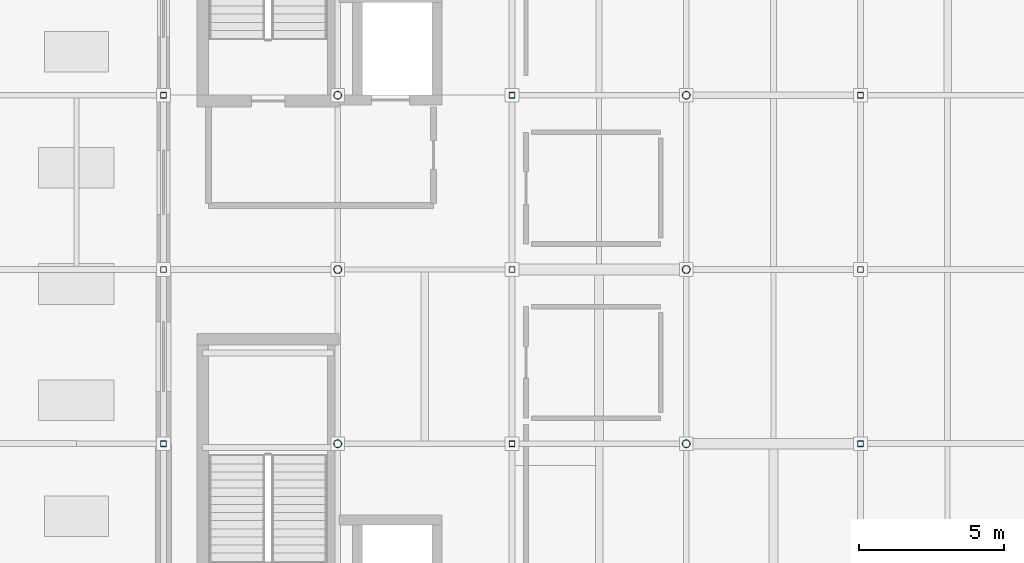
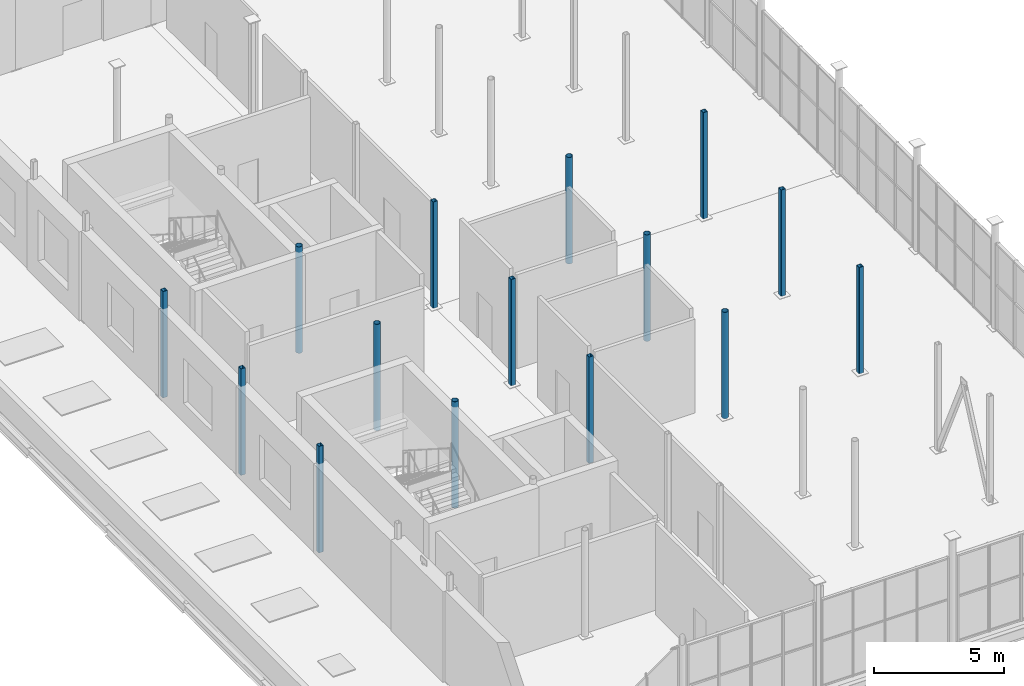
# One storey, part 2 of 27: 15 columns.
"""IFC4 building model written with IfcOpenShell, lengths in metres."""

import ifcopenshell
import ifcopenshell.guid

model = None  # the IFC model being written
_history = None  # IfcOwnerHistory: only IFC2X3 demands one
_inside = {}  # id of a spatial element -> (the spatial element, [elements in it])
_under = {}  # id of a project, library or spatial element -> (it, [spatial elements below it])
_declared = {}  # id of a project -> (the project, [libraries it declares])
_typed = {}  # id of a type object -> (the type object, [elements of that type])
_made_of = {}  # id of a material, layer set ... -> (it, [elements and type objects made of it])


def new_model(schema):
    """Start an empty IFC model of exactly this schema.

    Asked for "IFC4X3", IfcOpenShell would pick the latest addendum, in which some entities
    have other attributes; the version numbers below select the first issue.
    IFC2X3 requires an IfcOwnerHistory on every rooted entity: one is made here for all.
    """
    global model, _history
    if schema == "IFC4X3":
        model = ifcopenshell.file(schema_version=(4, 3, 0, 0))
    else:
        model = ifcopenshell.file(schema=schema)
    _inside.clear()
    _under.clear()
    _declared.clear()
    _typed.clear()
    _made_of.clear()
    _history = None
    if model.schema == "IFC2X3":
        org = make("IfcOrganization", Name="unknown")
        user = make(
            "IfcPersonAndOrganization",
            ThePerson=make("IfcPerson", FamilyName="unknown"),
            TheOrganization=org,
        )
        app = make(
            "IfcApplication",
            ApplicationDeveloper=org,
            Version="unknown",
            ApplicationFullName="unknown",
            ApplicationIdentifier="unknown",
        )
        _history = make(
            "IfcOwnerHistory",
            OwningUser=user,
            OwningApplication=app,
            ChangeAction="ADDED",
            CreationDate=0,
        )
    return model


def make(cls, **values):
    """One entity of the class cls with the attributes given. An attribute that is None is left unset."""
    return model.create_entity(
        cls, **{name: value for name, value in values.items() if value is not None}
    )


def rooted(cls, **values):
    """An entity with a GlobalId (a new one), such as an element, a storey or a relation."""
    return make(cls, GlobalId=ifcopenshell.guid.new(), OwnerHistory=_history, **values)


def si_unit(unit_type, name, prefix=None):
    """IfcSIUnit, for example si_unit("LENGTHUNIT", "METRE", prefix="MILLI")."""
    return make("IfcSIUnit", UnitType=unit_type, Prefix=prefix, Name=name)


def assignment(units):
    """IfcUnitAssignment: the units of a project."""
    return None if units is None else make("IfcUnitAssignment", Units=units)


def point(xyz):
    """IfcCartesianPoint."""
    return None if xyz is None else make("IfcCartesianPoint", Coordinates=xyz)


def direction(xyz):
    """IfcDirection."""
    return None if xyz is None else make("IfcDirection", DirectionRatios=xyz)


def frame(location, z_axis=None, x_axis=None):
    """IfcAxis2Placement3D, a coordinate frame: its origin and axes. An axis left out is left unset."""
    return make(
        "IfcAxis2Placement3D",
        Location=point(location),
        Axis=direction(z_axis),
        RefDirection=direction(x_axis),
    )


def frame_2d(location, x_axis=None):
    """IfcAxis2Placement2D, a coordinate frame in the plane: its origin and x axis."""
    return make(
        "IfcAxis2Placement2D", Location=point(location), RefDirection=direction(x_axis)
    )


def origin():
    """The frame at (0, 0, 0) with its axes left unset."""
    return frame((0.0, 0.0, 0.0))


def origin_2d():
    """The frame at (0, 0) in the plane with its x axis left unset."""
    return frame_2d((0.0, 0.0))


def place(relative_to, where):
    """IfcLocalPlacement: puts the frame where relative to a parent placement (None: the world)."""
    return make(
        "IfcLocalPlacement", PlacementRelTo=relative_to, RelativePlacement=where
    )


def context(
    kind, dimensions, precision=None, world=None, true_north=None, identifier=None
):
    """IfcGeometricRepresentationContext, for example the 3D "Model" context."""
    return make(
        "IfcGeometricRepresentationContext",
        ContextIdentifier=identifier,
        ContextType=kind,
        CoordinateSpaceDimension=dimensions,
        Precision=precision,
        WorldCoordinateSystem=world,
        TrueNorth=true_north,
    )


def subcontext(parent, identifier, kind, view, scale=None):
    """IfcGeometricRepresentationSubContext, for example "Body" below "Model"."""
    return make(
        "IfcGeometricRepresentationSubContext",
        ContextIdentifier=identifier,
        ContextType=kind,
        ParentContext=parent,
        TargetScale=scale,
        TargetView=view,
    )


def project(units=None, contexts=None):
    """IfcProject with its units and contexts."""
    return rooted(
        "IfcProject",
        Name="project",
        RepresentationContexts=contexts,
        UnitsInContext=assignment(units),
    )


def spatial(cls, under=None, at=None, **own):
    """A site, building, storey or space (cls), placed at a placement, below another one or the project."""
    s = rooted(cls, ObjectPlacement=at, **own)
    if under is not None:
        _under.setdefault(under.id(), (under, []))[1].append(s)
    return s


def profile(cls, at=None, kind="AREA", **sizes):
    """A parametric profile (cls). Its sizes go by their IFC names, for example OverallWidth=200.0."""
    return make(cls, ProfileType=kind, Position=at, **sizes)


def hollow_rectangle(**sizes):
    """IfcRectangleHollowProfileDef."""
    return profile("IfcRectangleHollowProfileDef", **sizes)


def hollow_circle(**sizes):
    """IfcCircleHollowProfileDef."""
    return profile("IfcCircleHollowProfileDef", **sizes)


def extrude(swept, where, along, depth):
    """IfcExtrudedAreaSolid: the profile swept, set in the frame where, extruded along a direction by depth."""
    return make(
        "IfcExtrudedAreaSolid",
        SweptArea=swept,
        Position=where,
        ExtrudedDirection=direction(along),
        Depth=depth,
    )


def shape(context_of_items, identifier, shape_type, items):
    """IfcShapeRepresentation: the items that make up one representation, for example the "Body"."""
    return make(
        "IfcShapeRepresentation",
        ContextOfItems=context_of_items,
        RepresentationIdentifier=identifier,
        RepresentationType=shape_type,
        Items=items,
    )


def material(Name=None, Category=None):
    """IfcMaterial."""
    return make("IfcMaterial", Name=Name, Category=Category)


def material_profile(
    of_material, cross_section, Name=None, Category=None, Priority=None
):
    """IfcMaterialProfile: a cross section and its material."""
    return make(
        "IfcMaterialProfile",
        Name=Name,
        Material=of_material,
        Profile=cross_section,
        Priority=Priority,
        Category=Category,
    )


def profile_set(profiles, Name=None, composite=None):
    """IfcMaterialProfileSet."""
    return make(
        "IfcMaterialProfileSet",
        Name=Name,
        MaterialProfiles=profiles,
        CompositeProfile=composite,
    )


def made_of(thing, what):
    """Note that an element or type object is made of a material, layer set ...; save() writes the relation."""
    if what is not None:
        _made_of.setdefault(what.id(), (what, []))[1].append(thing)
    return thing


def type_object(cls, material=None, **own):
    """A type object (cls), such as IfcWallType, which elements share."""
    return made_of(rooted(cls, **own), material)


def element(
    cls,
    number,
    at=None,
    inside=None,
    cuts=None,
    type_object=None,
    material=None,
    context=None,
    identifier="Body",
    shape_type=None,
    held_by="IfcProductDefinitionShape",
    body=None,
    shapes=None,
    **own,
):
    """One element of the class cls, such as IfcWall. Its Tag is "e" and its number.

    at: its placement. inside: the storey or other place that contains it. cuts: it is an
    opening in that element (IfcRelVoidsElement). A single representation is given by context,
    identifier, shape_type and body (its items); several are given by shapes. held_by: the class
    of the entity that holds the representations. save() writes the other relations.
    """
    e = rooted(cls, Tag="e%d" % number, ObjectPlacement=at, **own)
    if body is not None:
        shapes = [shape(context, identifier, shape_type, body)]
    if shapes is not None:
        e.Representation = make(held_by, Representations=shapes)
    if inside is not None:
        _inside.setdefault(inside.id(), (inside, []))[1].append(e)
    if cuts is not None:
        rooted(
            "IfcRelVoidsElement", RelatingBuildingElement=cuts, RelatedOpeningElement=e
        )
    if type_object is not None:
        _typed.setdefault(type_object.id(), (type_object, []))[1].append(e)
    return made_of(e, material)


def aggregate(whole, parts):
    """IfcRelAggregates: a whole, such as a stair, and the parts it consists of."""
    return rooted("IfcRelAggregates", RelatingObject=whole, RelatedObjects=parts)


def save(model, path):
    """Write the relations noted so far, then the file.

    IfcRelAggregates (storeys below a building ...), IfcRelContainedInSpatialStructure (elements
    in a storey), IfcRelDefinesByType, IfcRelAssociatesMaterial and IfcRelDeclares: one each for
    every whole, place, type object, material and project.
    """
    for whole, parts in _under.values():
        aggregate(whole, parts)
    for where, things in _inside.values():
        rooted(
            "IfcRelContainedInSpatialStructure",
            RelatedElements=things,
            RelatingStructure=where,
        )
    for kind, things in _typed.values():
        rooted("IfcRelDefinesByType", RelatedObjects=things, RelatingType=kind)
    for what, things in _made_of.values():
        rooted("IfcRelAssociatesMaterial", RelatedObjects=things, RelatingMaterial=what)
    for by, libraries in _declared.values():
        rooted("IfcRelDeclares", RelatingContext=by, RelatedDefinitions=libraries)
    model.write(path)


model = new_model("IFC4")

# Units and contexts
model_context = context("Model", 3, precision=1e-05, world=origin(), true_north=direction((0.0, 1.0)))
body_context = subcontext(model_context, "Body", "Model", "MODEL_VIEW")
ifc_project = project(units=[si_unit("LENGTHUNIT", "METRE"), si_unit("AREAUNIT", "SQUARE_METRE"), si_unit("VOLUMEUNIT", "CUBIC_METRE"), si_unit("PLANEANGLEUNIT", "RADIAN"), si_unit("MASSUNIT", "GRAM", prefix="KILO")], contexts=[model_context])

# Site, building, storey
site_placement = place(None, origin())
site = spatial("IfcSite", under=ifc_project, at=site_placement, CompositionType="ELEMENT")
building_placement = place(site_placement, origin())
building = spatial("IfcBuilding", under=site, at=building_placement, Name="Verrall Gate Interchange", CompositionType="ELEMENT")
storey_placement = place(building_placement, frame((0.0, 0.0, 23.60009765625)))
storey = spatial("IfcBuildingStorey", under=building, at=storey_placement, Name="L06", CompositionType="ELEMENT", Elevation=23.60009765625)

# Columns
ifc_material_1 = material(Name="Structural Steel CSA G40.21 350W", Category="steel")
ifc_material_profile_1 = material_profile(ifc_material_1, hollow_rectangle(XDim=0.202880859375, YDim=0.202880859375, WallThickness=0.009521484375, InnerFilletRadius=0.009521484375, OuterFilletRadius=0.01904296875, at=origin_2d()), Name="HSS203x203x9.5")
ifc_profile_set_1 = profile_set([ifc_material_profile_1], Name="Structural Steel CSA G40.21 350W")
column_type_1 = type_object("IfcColumnType", Name="C-14 Column HSS203x203x9.5", PredefinedType="COLUMN", material=ifc_profile_set_1)
for number, where, z_axis, x_axis, name in (
    (1, (6.0, 22.0, 0.0), (0.0, 0.0, 1.0), (1.0, 0.0, 0.0), "L06 Column COL-L06-0170 (C-14)"),
    (2, (6.0, 28.0, 0.0), (0.0, 0.0, 1.0), (1.0, 0.0, 0.0), "L06 Column COL-L06-0179 (C-14)"),
    (3, (6.0, 34.0, 0.0), (0.0, 0.0, 1.0), (1.0, 0.0, 0.0), "L06 Column COL-L06-0188 (C-14)"),
    (4, (18.0, 22.0, 0.0), (0.0, 0.0, 1.0), (1.0, 0.0, 0.0), "L06 Column COL-L06-0404 (C-14)"),
    (5, (18.0, 28.0, 0.0), (0.0, 0.0, 1.0), (1.0, 0.0, 0.0), "L06 Column COL-L06-0413 (C-14)"),
    (6, (18.0, 34.0, 0.0), (0.0, 0.0, 1.0), (1.0, 0.0, 0.0), "L06 Column COL-L06-0422 (C-14)"),
    (7, (30.0, 22.0, 0.0), (0.0, 0.0, 1.0), (1.0, 0.0, 0.0), "L06 Column COL-L06-0638 (C-14)"),
    (8, (30.0, 28.0, 0.0), (0.0, 0.0, 1.0), (1.0, 0.0, 0.0), "L06 Column COL-L06-0647 (C-14)"),
    (9, (30.0, 34.0, 0.0), (0.0, 0.0, 1.0), (1.0, 0.0, 0.0), "L06 Column COL-L06-0656 (C-14)"),
):
    element("IfcColumn", number, at=place(storey_placement, frame(where, z_axis=z_axis, x_axis=x_axis)), inside=storey, type_object=column_type_1, Name=name, PredefinedType="COLUMN", context=body_context, shape_type="SweptSolid", body=[
        extrude(hollow_rectangle(XDim=0.202880859375, YDim=0.202880859375, WallThickness=0.009521484375, InnerFilletRadius=0.009521484375, OuterFilletRadius=0.01904296875, at=origin_2d()), origin(), (0.0, 0.0, 1.0), 5.0),
    ])
ifc_material_2 = material(Name="Structural Steel CSA G40.21 350WT Cat 4", Category="steel")
ifc_material_profile_2 = material_profile(ifc_material_2, hollow_circle(Radius=0.136474609375, WallThickness=0.009521484375, at=origin_2d()), Name="HSS273x9.5")
ifc_profile_set_2 = profile_set([ifc_material_profile_2], Name="Structural Steel CSA G40.21 350WT Cat 4")
column_type_2 = type_object("IfcColumnType", Name="C-16 Column HSS273x9.5", PredefinedType="COLUMN", material=ifc_profile_set_2)
for number, where, z_axis, x_axis, name in (
    (10, (12.0, 22.0, 0.0), (0.0, 0.0, 1.0), (1.0, 0.0, 0.0), "L06 Column COL-L06-0287 (C-16)"),
    (11, (12.0, 28.0, 0.0), (0.0, 0.0, 1.0), (1.0, 0.0, 0.0), "L06 Column COL-L06-0296 (C-16)"),
    (12, (12.0, 34.0, 0.0), (0.0, 0.0, 1.0), (1.0, 0.0, 0.0), "L06 Column COL-L06-0305 (C-16)"),
    (13, (24.0, 22.0, 0.0), (0.0, 0.0, 1.0), (1.0, 0.0, 0.0), "L06 Column COL-L06-0521 (C-16)"),
    (14, (24.0, 28.0, 0.0), (0.0, 0.0, 1.0), (1.0, 0.0, 0.0), "L06 Column COL-L06-0530 (C-16)"),
    (15, (24.0, 34.0, 0.0), (0.0, 0.0, 1.0), (1.0, 0.0, 0.0), "L06 Column COL-L06-0539 (C-16)"),
):
    element("IfcColumn", number, at=place(storey_placement, frame(where, z_axis=z_axis, x_axis=x_axis)), inside=storey, type_object=column_type_2, Name=name, PredefinedType="COLUMN", context=body_context, shape_type="SweptSolid", body=[
        extrude(hollow_circle(Radius=0.136474609375, WallThickness=0.009521484375, at=origin_2d()), origin(), (0.0, 0.0, 1.0), 5.0),
    ])

save(model, "model.ifc")
